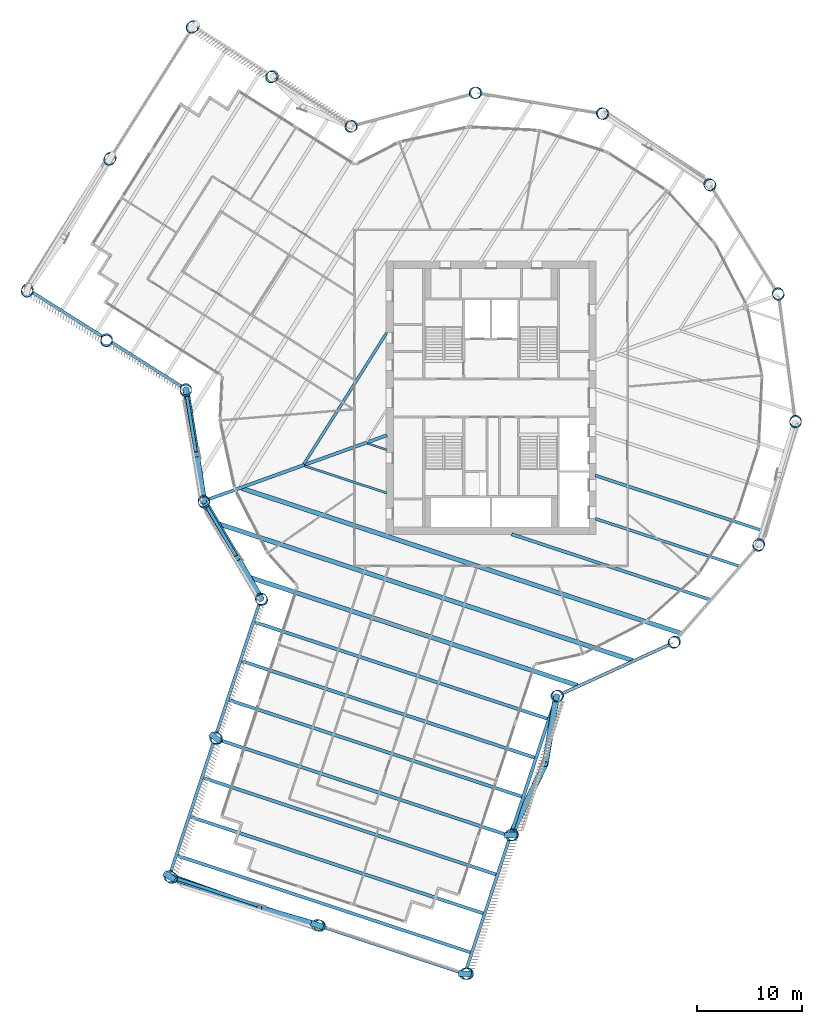
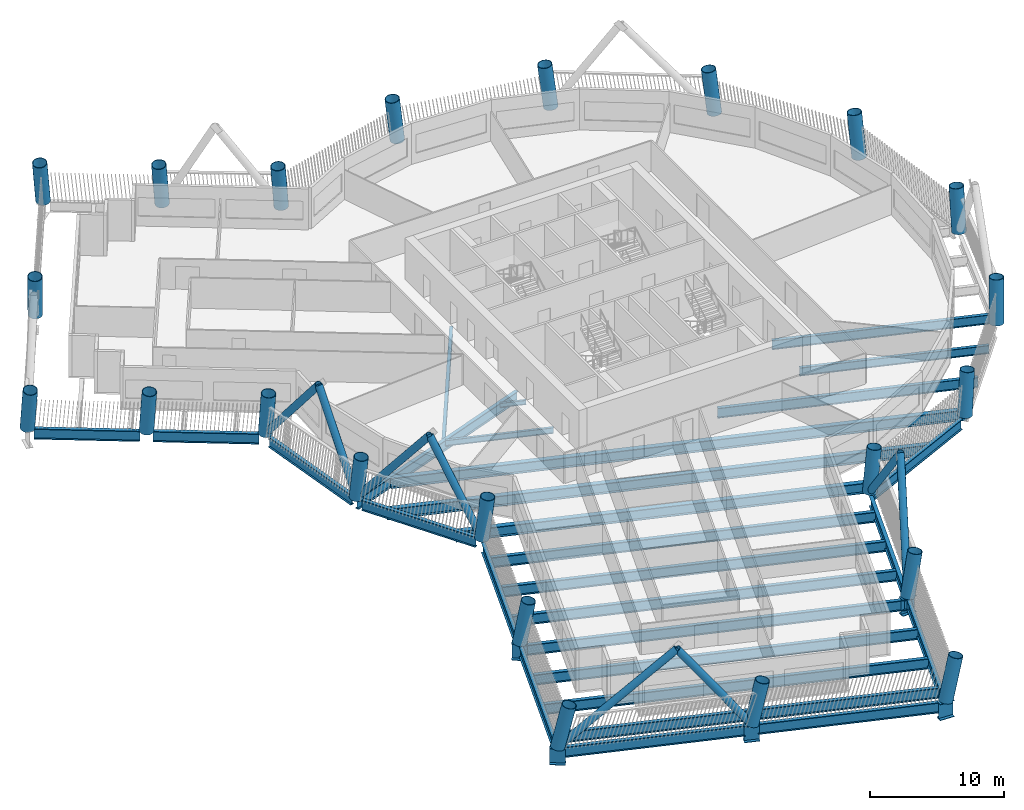
# One storey, part 1 of 22: 33 beams, 22 columns, 8 members.
"""IFC4 building model written with IfcOpenShell, lengths in metres."""

from ifc_helpers import new_model, si_unit, direction, frame, origin, origin_2d, place, context, subcontext, project, spatial, hollow_circle, i_section, extrude, material, material_profile, profile_set, type_object, element, save


model = new_model("IFC4")

# Units and contexts
model_context = context("Model", 3, precision=1e-05, world=origin(), true_north=direction((0.0, 1.0)))
body_context = subcontext(model_context, "Body", "Model", "MODEL_VIEW")
ifc_project = project(units=[si_unit("LENGTHUNIT", "METRE"), si_unit("AREAUNIT", "SQUARE_METRE"), si_unit("VOLUMEUNIT", "CUBIC_METRE"), si_unit("PLANEANGLEUNIT", "RADIAN"), si_unit("MASSUNIT", "GRAM", prefix="KILO")], contexts=[model_context])

# Site, building, storey
site_placement = place(None, origin())
site = spatial("IfcSite", under=ifc_project, at=site_placement, CompositionType="ELEMENT")
building_placement = place(site_placement, origin())
building = spatial("IfcBuilding", under=site, at=building_placement, Name="Tarsis Ring Headquarters", CompositionType="ELEMENT")
storey_placement = place(building_placement, frame((0.0, 0.0, 147.60009765625)))
storey = spatial("IfcBuildingStorey", under=building, at=storey_placement, Name="L33", CompositionType="ELEMENT", Elevation=147.60009765625)

# Columns
ifc_material = material(Name="Structural steel S355", Category="steel")
ifc_material_profile_1 = material_profile(ifc_material, hollow_circle(Radius=0.558837890625, WallThickness=0.044921875, at=origin_2d()), Name="CHS 1118x45")
ifc_profile_set_1 = profile_set([ifc_material_profile_1], Name="Structural steel S355")
column_type = type_object("IfcColumnType", Name="XC Exo column CHS 1118x45", PredefinedType="COLUMN", material=ifc_profile_set_1)
for number, where, z_axis, x_axis, name in (
    (1, (-27.3408203125, -9.813232421875, 0.017822265625), (0.040111543111, -0.109025923254, 0.993229284792), (0.93849912067, 0.345281624911, 0.0), "Exo column XC4 F1"),
    (2, (-21.88525390625, -19.10107421875, 0.017822265625), (0.07709864806, -0.086970273986, 0.993223021234), (0.748298420576, 0.663362249275, 0.0), "Exo column XC4 AK"),
):
    element("IfcColumn", number, at=place(storey_placement, frame(where, z_axis=z_axis, x_axis=x_axis)), inside=storey, type_object=column_type, Name=name, PredefinedType="COLUMN", context=body_context, shape_type="SweptSolid", body=[
        extrude(hollow_circle(Radius=0.558837890625, WallThickness=0.044921875, at=origin_2d()), origin(), (0.0, 0.0, 1.0), 3.907470703125),
    ])
column_1_placement = place(storey_placement, frame((-26.2392578125, -32.304443359375, 0.02490234375), z_axis=(0.129099744386, -0.103242501408, 0.98624248636), x_axis=(0.624557472155, 0.78097884989, 0.0)))
element("IfcColumn", 3, at=column_1_placement, inside=storey, type_object=column_type, Name="Exo column XC4 AI1", PredefinedType="COLUMN", context=body_context, shape_type="SweptSolid", body=[
    extrude(hollow_circle(Radius=0.558837890625, WallThickness=0.044921875, at=origin_2d()), origin(), (0.0, 0.0, 1.0), 3.927734375),
])
column_2_placement = place(storey_placement, frame((-30.592529296875, -45.5078125, 0.031982421875), z_axis=(0.179866907495, -0.118945239821, 0.97647320778), x_axis=(0.551594899908, 0.834112142578, 0.0)))
element("IfcColumn", 4, at=column_2_placement, inside=storey, type_object=column_type, Name="Exo column XC4 AT1", PredefinedType="COLUMN", context=body_context, shape_type="SweptSolid", body=[
    extrude(hollow_circle(Radius=0.558837890625, WallThickness=0.044921875, at=origin_2d()), origin(), (0.0, 0.0, 1.0), 3.95947265625),
])
column_3_placement = place(storey_placement, frame((-16.53759765625, -50.143310546875, 0.031005859375), z_axis=(0.198081516615, -0.063598491931, 0.978120107451), x_axis=(0.305701729978, 0.952127329872, 0.0)))
element("IfcColumn", 5, at=column_3_placement, inside=storey, type_object=column_type, Name="Exo column XC4 AT2", PredefinedType="COLUMN", context=body_context, shape_type="SweptSolid", body=[
    extrude(hollow_circle(Radius=0.558837890625, WallThickness=0.044921875, at=origin_2d()), origin(), (0.0, 0.0, 1.0), 3.953857421875),
])
column_4_placement = place(storey_placement, frame((-2.48193359375, -54.77880859375, 0.031982421875), z_axis=(0.215506392048, -0.008077635868, 0.97646901988), x_axis=(0.037455815537, 0.999298284739, 0.0)))
element("IfcColumn", 6, at=column_4_placement, inside=storey, type_object=column_type, Name="Exo column XC4 AT3", PredefinedType="COLUMN", context=body_context, shape_type="SweptSolid", body=[
    extrude(hollow_circle(Radius=0.558837890625, WallThickness=0.044921875, at=origin_2d()), origin(), (0.0, 0.0, 1.0), 3.95947265625),
])
column_5_placement = place(storey_placement, frame((1.87109375, -41.576171875, 0.02490234375), z_axis=(0.165088204986, 0.008701938516, 0.986240417363), x_axis=(-0.052637768839, 0.998613671693, 0.0)))
element("IfcColumn", 7, at=column_5_placement, inside=storey, type_object=column_type, Name="Exo column XC4 AO1", PredefinedType="COLUMN", context=body_context, shape_type="SweptSolid", body=[
    extrude(hollow_circle(Radius=0.558837890625, WallThickness=0.044921875, at=origin_2d()), origin(), (0.0, 0.0, 1.0), 3.927734375),
])
for number, where, z_axis, x_axis, name in (
    (8, (6.224853515625, -28.373779296875, 0.017822265625), (0.11333609742, 0.025803642908, 0.993221577008), (-0.221992805605, 0.975048303552, 0.0), "Exo column XC4 AJ"),
    (9, (17.366943359375, -23.285400390625, 0.017822265625), (0.092593482166, 0.070226095786, 0.993224417003), (-0.604292341774, 0.796762678389, 0.0), "Exo column XC4 R1"),
    (10, (25.4208984375, -14.056640625, 0.017822265625), (0.055418957884, 0.10209084237, 0.993230184303), (-0.878859875029, 0.47707999336, 0.0), "Exo column XC4 R2"),
    (11, (28.955078125, -2.328857421875, 0.017822265625), (0.008372161958, 0.115898212185, 0.993225810839), (-0.997401060654, 0.072049456673, 0.0), "Exo column XC4 R3"),
    (12, (27.3408203125, 9.813232421875, 0.017822265625), (-0.040111543111, 0.109025923254, 0.993229284792), (-0.93849912067, -0.345281624911, 0.0), "Exo column XC4 R4"),
    (13, (20.865234375, 20.21044921875, 0.017822265625), (-0.081472849559, 0.082784912321, 0.993231510312), (-0.712732290862, -0.701436156441, 0.0), "Exo column XC4 R5"),
    (14, (10.6796875, 27.01416015625, 0.017822265625), (-0.108400723248, 0.041860798027, 0.993225531683), (-0.360239784913, -0.932859741529, 0.0), "Exo column XC4 R6"),
    (15, (-1.404541015625, 29.014404296875, 0.017822265625), (-0.116023105513, -0.006497793739, 0.993225260283), (0.055916685823, -0.998435438196, 0.0), "Exo column XC4 R7"),
    (16, (-13.2392578125, 25.856201171875, 0.017822265625), (-0.103027265267, -0.053794102726, 0.993222823501), (0.462841555167, -0.88644102726, 0.0), "Exo column XC4 BJ"),
):
    element("IfcColumn", number, at=place(storey_placement, frame(where, z_axis=z_axis, x_axis=x_axis)), inside=storey, type_object=column_type, Name=name, PredefinedType="COLUMN", context=body_context, shape_type="SweptSolid", body=[
        extrude(hollow_circle(Radius=0.558837890625, WallThickness=0.044921875, at=origin_2d()), origin(), (0.0, 0.0, 1.0), 3.907470703125),
    ])
column_6_placement = place(storey_placement, frame((-20.768310546875, 30.60693359375, 0.022216796875), z_axis=(-0.12122219442, -0.08372180334, 0.989088387974), x_axis=(0.568286154794, -0.822830994962, 0.0)))
element("IfcColumn", 17, at=column_6_placement, inside=storey, type_object=column_type, Name="Exo column XC4 BO1", PredefinedType="COLUMN", context=body_context, shape_type="SweptSolid", body=[
    extrude(hollow_circle(Radius=0.558837890625, WallThickness=0.044921875, at=origin_2d()), origin(), (0.0, 0.0, 1.0), 3.919189453125),
])
column_7_placement = place(storey_placement, frame((-28.29736328125, 35.357421875, 0.02685546875), z_axis=(-0.139209189782, -0.113216030014, 0.983769755597), x_axis=(0.63095699552, -0.775817807094, 0.0)))
element("IfcColumn", 18, at=column_7_placement, inside=storey, type_object=column_type, Name="Exo column XC4 BT3", PredefinedType="COLUMN", context=body_context, shape_type="SweptSolid", body=[
    extrude(hollow_circle(Radius=0.558837890625, WallThickness=0.044921875, at=origin_2d()), origin(), (0.0, 0.0, 1.0), 3.935546875),
])
column_8_placement = place(storey_placement, frame((-36.195556640625, 22.84130859375, 0.025634765625), z_axis=(-0.089514510516, -0.144366219596, 0.985467171978), x_axis=(0.849883037871, -0.526971367286, 0.0)))
element("IfcColumn", 19, at=column_8_placement, inside=storey, type_object=column_type, Name="Exo column XC4 BT2", PredefinedType="COLUMN", context=body_context, shape_type="SweptSolid", body=[
    extrude(hollow_circle(Radius=0.558837890625, WallThickness=0.044921875, at=origin_2d()), origin(), (0.0, 0.0, 1.0), 3.93017578125),
])
column_9_placement = place(storey_placement, frame((-44.093994140625, 10.32470703125, 0.02685546875), z_axis=(-0.039517225961, -0.175004857826, 0.983774206101), x_axis=(0.975441002068, -0.220260871435, 0.0)))
element("IfcColumn", 20, at=column_9_placement, inside=storey, type_object=column_type, Name="Exo column XC4 BT1", PredefinedType="COLUMN", context=body_context, shape_type="SweptSolid", body=[
    extrude(hollow_circle(Radius=0.558837890625, WallThickness=0.044921875, at=origin_2d()), origin(), (0.0, 0.0, 1.0), 3.935546875),
])
column_10_placement = place(storey_placement, frame((-36.565185546875, 5.57470703125, 0.022216796875), z_axis=(-0.021117249965, -0.145827381029, 0.98908464587), x_axis=(0.989677116619, -0.143315054478, 0.0)))
element("IfcColumn", 21, at=column_10_placement, inside=storey, type_object=column_type, Name="Exo column XC4 BI1", PredefinedType="COLUMN", context=body_context, shape_type="SweptSolid", body=[
    extrude(hollow_circle(Radius=0.558837890625, WallThickness=0.044921875, at=origin_2d()), origin(), (0.0, 0.0, 1.0), 3.919189453125),
])
column_11_placement = place(storey_placement, frame((-29.036865234375, 0.82421875, 0.017822265625), z_axis=(-0.002374185622, -0.116210138361, 0.993221811573), x_axis=(0.999791370661, -0.020425845207, 0.0)))
element("IfcColumn", 22, at=column_11_placement, inside=storey, type_object=column_type, Name="Exo column XC4 BK", PredefinedType="COLUMN", context=body_context, shape_type="SweptSolid", body=[
    extrude(hollow_circle(Radius=0.558837890625, WallThickness=0.044921875, at=origin_2d()), origin(), (0.0, 0.0, 1.0), 3.907470703125),
])

# Beams
ifc_material_profile_2 = material_profile(ifc_material, i_section(OverallWidth=0.177734375, OverallDepth=0.406494140625, WebThickness=0.0078125, FlangeThickness=0.0126953125, at=origin_2d()), Name="W16x40")
ifc_profile_set_2 = profile_set([ifc_material_profile_2], Name="Structural steel S355")
beam_type_1 = type_object("IfcBeamType", Name="FB Floor beam W16x40", PredefinedType="JOIST", material=ifc_profile_set_2)
beam_1_placement = place(storey_placement, frame((-11.78076171875, -4.32666015625, -0.36328125), z_axis=(0.949642993608, -0.313333982663, 0.0), x_axis=(0.313333982663, 0.949642993608, 0.0)))
element("IfcBeam", 23, at=beam_1_placement, inside=storey, type_object=beam_type_1, Name="Floor beam FB1", PredefinedType="JOIST", context=body_context, shape_type="SweptSolid", body=[
    extrude(i_section(OverallWidth=0.177734375, OverallDepth=0.406494140625, WebThickness=0.0078125, FlangeThickness=0.0126953125, at=origin_2d()), origin(), (0.0, 0.0, 1.0), 1.97509765625),
])
ifc_material_profile_3 = material_profile(ifc_material, i_section(OverallWidth=0.209228515625, OverallDepth=0.533447265625, WebThickness=0.01025390625, FlangeThickness=0.015625, at=origin_2d()), Name="W21x62")
ifc_profile_set_3 = profile_set([ifc_material_profile_3], Name="Structural steel S355")
beam_type_2 = type_object("IfcBeamType", Name="FB Floor beam W21x62", PredefinedType="JOIST", material=ifc_profile_set_3)
beam_2_placement = place(storey_placement, frame((-17.7431640625, -6.466064453125, -0.4267578125), z_axis=(0.949643172318, -0.313333441033, 0.0), x_axis=(0.313333441033, 0.949643172318, 0.0)))
element("IfcBeam", 24, at=beam_2_placement, inside=storey, type_object=beam_type_2, Name="Floor beam FB3", PredefinedType="JOIST", context=body_context, shape_type="SweptSolid", body=[
    extrude(i_section(OverallWidth=0.209228515625, OverallDepth=0.533447265625, WebThickness=0.01025390625, FlangeThickness=0.015625, at=origin_2d()), origin(), (0.0, 0.0, 1.0), 8.253662109375),
])
ifc_material_profile_4 = material_profile(ifc_material, i_section(OverallWidth=0.2666015625, OverallDepth=0.7568359375, WebThickness=0.013916015625, FlangeThickness=0.019287109375, at=origin_2d()), Name="W30x108")
ifc_profile_set_4 = profile_set([ifc_material_profile_4], Name="Structural steel S355")
beam_type_3 = type_object("IfcBeamType", Name="FB Floor beam W30x108", PredefinedType="JOIST", material=ifc_profile_set_4)
beam_3_placement = place(storey_placement, frame((9.905029296875, -11.481689453125, -0.53857421875), z_axis=(0.949643274222, -0.313333132185, 0.0), x_axis=(0.313333132185, 0.949643274222, 0.0)))
element("IfcBeam", 25, at=beam_3_placement, inside=storey, type_object=beam_type_3, Name="Floor beam FB6", PredefinedType="JOIST", context=body_context, shape_type="SweptSolid", body=[
    extrude(i_section(OverallWidth=0.2666015625, OverallDepth=0.7568359375, WebThickness=0.013916015625, FlangeThickness=0.019287109375, at=origin_2d()), origin(), (0.0, 0.0, 1.0), 14.455322265625),
])
beam_4_placement = place(storey_placement, frame((-9.946533203125, 6.16162109375, -0.53857421875), z_axis=(-0.53376278744, -0.845634251166, 0.0), x_axis=(0.845634251166, -0.53376278744, 0.0)))
element("IfcBeam", 26, at=beam_4_placement, inside=storey, type_object=beam_type_3, Name="Floor beam FB6", PredefinedType="JOIST", context=body_context, shape_type="SweptSolid", body=[
    extrude(i_section(OverallWidth=0.2666015625, OverallDepth=0.7568359375, WebThickness=0.013916015625, FlangeThickness=0.019287109375, at=origin_2d()), origin(), (0.0, 0.0, 1.0), 14.724853515625),
])
ifc_material_profile_5 = material_profile(ifc_material, i_section(OverallWidth=0.2919921875, OverallDepth=0.835693359375, WebThickness=0.013916015625, FlangeThickness=0.018798828125, at=origin_2d()), Name="W33x118")
ifc_profile_set_5 = profile_set([ifc_material_profile_5], Name="Structural steel S355")
beam_type_4 = type_object("IfcBeamType", Name="FB Floor beam W33x118", PredefinedType="JOIST", material=ifc_profile_set_5)
beam_5_placement = place(storey_placement, frame((9.905029296875, -7.375, -0.577880859375), z_axis=(0.949647577034, -0.313320091015, 0.0), x_axis=(0.313320091015, 0.949647577034, 0.0)))
element("IfcBeam", 27, at=beam_5_placement, inside=storey, type_object=beam_type_4, Name="Floor beam FB7", PredefinedType="JOIST", context=body_context, shape_type="SweptSolid", body=[
    extrude(i_section(OverallWidth=0.2919921875, OverallDepth=0.835693359375, WebThickness=0.013916015625, FlangeThickness=0.018798828125, at=origin_2d()), origin(), (0.0, 0.0, 1.0), 16.734130859375),
])
ifc_material_profile_6 = material_profile(ifc_material, i_section(OverallWidth=0.3046875, OverallDepth=0.904296875, WebThickness=0.01513671875, FlangeThickness=0.02001953125, at=origin_2d()), Name="W36x135")
ifc_profile_set_6 = profile_set([ifc_material_profile_6], Name="Structural steel S355")
beam_type_5 = type_object("IfcBeamType", Name="FB Floor beam W36x135", PredefinedType="JOIST", material=ifc_profile_set_6)
beam_6_placement = place(storey_placement, frame((1.96484375, -12.96875, -0.6123046875), z_axis=(0.949646294343, -0.313323978719, 0.0), x_axis=(0.313323978719, 0.949646294343, 0.0)))
element("IfcBeam", 28, at=beam_6_placement, inside=storey, type_object=beam_type_5, Name="Floor beam FB8", PredefinedType="JOIST", context=body_context, shape_type="SweptSolid", body=[
    extrude(i_section(OverallWidth=0.3046875, OverallDepth=0.904296875, WebThickness=0.01513671875, FlangeThickness=0.02001953125, at=origin_2d()), origin(), (0.0, 0.0, 1.0), 19.8857421875),
])
ifc_material_profile_7 = material_profile(ifc_material, i_section(OverallWidth=0.309814453125, OverallDepth=0.949951171875, WebThickness=0.0244140625, FlangeThickness=0.0439453125, at=origin_2d()), Name="W36x256")
ifc_profile_set_7 = profile_set([ifc_material_profile_7], Name="Structural steel S355")
beam_type_6 = type_object("IfcBeamType", Name="FB Floor beam W36x256", PredefinedType="JOIST", material=ifc_profile_set_7)
beam_7_placement = place(storey_placement, frame((-22.556396484375, -21.30517578125, -0.635009765625), z_axis=(0.949643356237, -0.313332883617, 0.0), x_axis=(0.313332883617, 0.949643356237, 0.0)))
element("IfcBeam", 29, at=beam_7_placement, inside=storey, type_object=beam_type_6, Name="Floor beam FB11", PredefinedType="JOIST", context=body_context, shape_type="SweptSolid", body=[
    extrude(i_section(OverallWidth=0.309814453125, OverallDepth=0.949951171875, WebThickness=0.0244140625, FlangeThickness=0.0439453125, at=origin_2d()), origin(), (0.0, 0.0, 1.0), 29.490234375),
])
beam_8_placement = place(storey_placement, frame((-23.7783203125, -25.0087890625, -0.635009765625), z_axis=(0.949642543443, -0.313335347005, 0.0), x_axis=(0.313335347005, 0.949642543443, 0.0)))
element("IfcBeam", 30, at=beam_8_placement, inside=storey, type_object=beam_type_6, Name="Floor beam FB11", PredefinedType="JOIST", context=body_context, shape_type="SweptSolid", body=[
    extrude(i_section(OverallWidth=0.309814453125, OverallDepth=0.949951171875, WebThickness=0.0244140625, FlangeThickness=0.0439453125, at=origin_2d()), origin(), (0.0, 0.0, 1.0), 29.489990234375),
])
for number, where, z_axis, x_axis, name in (
    (31, (-25.00048828125, -28.71240234375, -0.635009765625), (0.949643356237, -0.313332883617, 0.0), (0.313332883617, 0.949643356237, 0.0), "Floor beam FB11"),
    (32, (-26.222412109375, -32.416015625, -0.635009765625), (0.949643356237, -0.313332883617, 0.0), (0.313332883617, 0.949643356237, 0.0), "Floor beam FB11"),
    (33, (-27.4443359375, -36.11962890625, -0.635009765625), (0.949643356237, -0.313332883617, 0.0), (0.313332883617, 0.949643356237, 0.0), "Floor beam FB11"),
):
    element("IfcBeam", number, at=place(storey_placement, frame(where, z_axis=z_axis, x_axis=x_axis)), inside=storey, type_object=beam_type_6, Name=name, PredefinedType="JOIST", context=body_context, shape_type="SweptSolid", body=[
        extrude(i_section(OverallWidth=0.309814453125, OverallDepth=0.949951171875, WebThickness=0.0244140625, FlangeThickness=0.0439453125, at=origin_2d()), origin(), (0.0, 0.0, 1.0), 29.490234375),
    ])
beam_9_placement = place(storey_placement, frame((-28.666259765625, -39.8232421875, -0.635009765625), z_axis=(0.949642543443, -0.313335347005, 0.0), x_axis=(0.313335347005, 0.949642543443, 0.0)))
element("IfcBeam", 34, at=beam_9_placement, inside=storey, type_object=beam_type_6, Name="Floor beam FB11", PredefinedType="JOIST", context=body_context, shape_type="SweptSolid", body=[
    extrude(i_section(OverallWidth=0.309814453125, OverallDepth=0.949951171875, WebThickness=0.0244140625, FlangeThickness=0.0439453125, at=origin_2d()), origin(), (0.0, 0.0, 1.0), 29.489990234375),
])
beam_10_placement = place(storey_placement, frame((-29.888427734375, -43.52685546875, -0.635009765625), z_axis=(0.949643356237, -0.313332883617, 0.0), x_axis=(0.313332883617, 0.949643356237, 0.0)))
element("IfcBeam", 35, at=beam_10_placement, inside=storey, type_object=beam_type_6, Name="Floor beam FB11", PredefinedType="JOIST", context=body_context, shape_type="SweptSolid", body=[
    extrude(i_section(OverallWidth=0.309814453125, OverallDepth=0.949951171875, WebThickness=0.0244140625, FlangeThickness=0.0439453125, at=origin_2d()), origin(), (0.0, 0.0, 1.0), 29.490234375),
])
beam_type_7 = type_object("IfcBeamType", Name="FB Floor beam W36x256 spine", PredefinedType="BEAM", material=ifc_profile_set_7)
beam_11_placement = place(storey_placement, frame((-9.90576171875, -3.5546875, -0.635009765625), z_axis=(-0.941235950573, -0.337749737749, 0.0), x_axis=(0.337749737749, -0.941235950573, 0.0)))
element("IfcBeam", 36, at=beam_11_placement, inside=storey, type_object=beam_type_7, Name="Floor beam SB11", PredefinedType="BEAM", context=body_context, shape_type="SweptSolid", body=[
    extrude(i_section(OverallWidth=0.309814453125, OverallDepth=0.949951171875, WebThickness=0.0244140625, FlangeThickness=0.0439453125, at=origin_2d()), origin(), (0.0, 0.0, 1.0), 18.466552734375),
])
ifc_material_profile_8 = material_profile(ifc_material, i_section(OverallWidth=0.42431640625, OverallDepth=0.947509765625, WebThickness=0.02392578125, FlangeThickness=0.042724609375, at=origin_2d()), Name="W36x302")
ifc_profile_set_8 = profile_set([ifc_material_profile_8], Name="Structural steel S355")
beam_type_8 = type_object("IfcBeamType", Name="FB Floor beam W36x302", PredefinedType="JOIST", material=ifc_profile_set_8)
beam_12_placement = place(storey_placement, frame((-23.70556640625, -8.605712890625, -0.6337890625), z_axis=(0.949645181654, -0.313327351121, 0.0), x_axis=(0.313327351121, 0.949645181654, 0.0)))
element("IfcBeam", 37, at=beam_12_placement, inside=storey, type_object=beam_type_8, Name="Floor beam FB12", PredefinedType="JOIST", context=body_context, shape_type="SweptSolid", body=[
    extrude(i_section(OverallWidth=0.42431640625, OverallDepth=0.947509765625, WebThickness=0.02392578125, FlangeThickness=0.042724609375, at=origin_2d()), origin(), (0.0, 0.0, 1.0), 43.986572265625),
])
beam_13_placement = place(storey_placement, frame((-25.97412109375, -11.964111328125, -0.6337890625), z_axis=(0.9496454624, -0.313326500225, 0.0), x_axis=(0.313326500225, 0.9496454624, 0.0)))
element("IfcBeam", 38, at=beam_13_placement, inside=storey, type_object=beam_type_8, Name="Floor beam FB12", PredefinedType="JOIST", context=body_context, shape_type="SweptSolid", body=[
    extrude(i_section(OverallWidth=0.42431640625, OverallDepth=0.947509765625, WebThickness=0.02392578125, FlangeThickness=0.042724609375, at=origin_2d()), origin(), (0.0, 0.0, 1.0), 41.523681640625),
])
beam_14_placement = place(storey_placement, frame((-22.982421875, -17.057861328125, -0.6337890625), z_axis=(0.949644294762, -0.313330039136, 0.0), x_axis=(0.313330039136, 0.949644294762, 0.0)))
element("IfcBeam", 39, at=beam_14_placement, inside=storey, type_object=beam_type_8, Name="Floor beam FB12", PredefinedType="JOIST", context=body_context, shape_type="SweptSolid", body=[
    extrude(i_section(OverallWidth=0.42431640625, OverallDepth=0.947509765625, WebThickness=0.02392578125, FlangeThickness=0.042724609375, at=origin_2d()), origin(), (0.0, 0.0, 1.0), 32.875244140625),
])

# Members
ifc_material_profile_9 = material_profile(ifc_material, hollow_circle(Radius=0.3046875, WallThickness=0.02490234375, at=origin_2d()), Name="CHS 610x25")
ifc_profile_set_9 = profile_set([ifc_material_profile_9], Name="Structural steel S355")
member_type = type_object("IfcMemberType", Name="XD X brace CHS 610x25", PredefinedType="BRACE", material=ifc_profile_set_9)
member_1_placement = place(storey_placement, frame((-27.341552734375, -9.811279296875, 0.0), z_axis=(0.318894989513, -0.540185978261, 0.778784369742), x_axis=(0.861139974687, 0.50836792188, 0.0)))
element("IfcMember", 40, at=member_1_placement, inside=storey, type_object=member_type, Name="X brace XD1", PredefinedType="BRACE", context=body_context, shape_type="SweptSolid", body=[
    extrude(hollow_circle(Radius=0.3046875, WallThickness=0.02490234375, at=origin_2d()), origin(), (0.0, 0.0, 1.0), 10.015380859375),
])
member_2_placement = place(storey_placement, frame((-21.886474609375, -19.099609375, 0.0), z_axis=(-0.251262799619, 0.430933877342, 0.866696601405), x_axis=(-0.863879478789, -0.503698566732, 0.0)))
element("IfcMember", 41, at=member_2_placement, inside=storey, type_object=member_type, Name="X brace XD1", PredefinedType="BRACE", context=body_context, shape_type="SweptSolid", body=[
    extrude(hollow_circle(Radius=0.3046875, WallThickness=0.02490234375, at=origin_2d()), origin(), (0.0, 0.0, 1.0), 8.99951171875),
])
member_3_placement = place(storey_placement, frame((-30.5986328125, -45.50390625, 0.0), z_axis=(0.714246715621, -0.253829624562, 0.652243935134), x_axis=(0.334863542888, 0.942266632989, 0.0)))
element("IfcMember", 42, at=member_3_placement, inside=storey, type_object=member_type, Name="X brace XD1", PredefinedType="BRACE", context=body_context, shape_type="SweptSolid", body=[
    extrude(hollow_circle(Radius=0.3046875, WallThickness=0.02490234375, at=origin_2d()), origin(), (0.0, 0.0, 1.0), 11.95849609375),
])
member_4_placement = place(storey_placement, frame((-16.543701171875, -50.14111328125, 0.0), z_axis=(-0.569287729887, 0.165386857766, 0.805331402516), x_axis=(-0.278980968597, -0.960296630818, 0.0)))
element("IfcMember", 43, at=member_4_placement, inside=storey, type_object=member_type, Name="X brace XD1", PredefinedType="BRACE", context=body_context, shape_type="SweptSolid", body=[
    extrude(hollow_circle(Radius=0.3046875, WallThickness=0.02490234375, at=origin_2d()), origin(), (0.0, 0.0, 1.0), 9.685302734375),
])
member_5_placement = place(storey_placement, frame((1.866943359375, -41.576416015625, 0.0), z_axis=(0.302660094776, 0.623462194786, 0.720896496526), x_axis=(-0.899601363111, 0.436712018943, 0.0)))
element("IfcMember", 44, at=member_5_placement, inside=storey, type_object=member_type, Name="X brace XD1", PredefinedType="BRACE", context=body_context, shape_type="SweptSolid", body=[
    extrude(hollow_circle(Radius=0.3046875, WallThickness=0.02490234375, at=origin_2d()), origin(), (0.0, 0.0, 1.0), 10.819580078125),
])
member_6_placement = place(storey_placement, frame((6.222900390625, -28.3740234375, 0.0), z_axis=(-0.106185247977, -0.634066663639, 0.765953105075), x_axis=(0.986265622037, -0.165166954286, 0.0)))
element("IfcMember", 45, at=member_6_placement, inside=storey, type_object=member_type, Name="X brace XD1", PredefinedType="BRACE", context=body_context, shape_type="SweptSolid", body=[
    extrude(hollow_circle(Radius=0.3046875, WallThickness=0.02490234375, at=origin_2d()), origin(), (0.0, 0.0, 1.0), 10.18310546875),
])
member_7_placement = place(storey_placement, frame((-29.036865234375, 0.826171875, 0.0), z_axis=(0.100115520744, -0.619243869847, 0.778790030857), x_axis=(0.987181538731, 0.159601408478, 0.0)))
element("IfcMember", 46, at=member_7_placement, inside=storey, type_object=member_type, Name="X brace XD1", PredefinedType="BRACE", context=body_context, shape_type="SweptSolid", body=[
    extrude(hollow_circle(Radius=0.3046875, WallThickness=0.02490234375, at=origin_2d()), origin(), (0.0, 0.0, 1.0), 10.015380859375),
])
member_8_placement = place(storey_placement, frame((-27.341552734375, -9.811279296875, 0.0), z_axis=(-0.076962939574, 0.492866650046, 0.8666943932), x_axis=(-0.988026545286, -0.154283977817, 0.0)))
element("IfcMember", 47, at=member_8_placement, inside=storey, type_object=member_type, Name="X brace XD1", PredefinedType="BRACE", context=body_context, shape_type="SweptSolid", body=[
    extrude(hollow_circle(Radius=0.3046875, WallThickness=0.02490234375, at=origin_2d()), origin(), (0.0, 0.0, 1.0), 8.99951171875),
])

# Beams
ifc_material_profile_10 = material_profile(ifc_material, i_section(OverallWidth=0.550048828125, OverallDepth=1.5, WebThickness=0.030029296875, FlangeThickness=0.050048828125, at=origin_2d()), Name="PG 1500x550x30x50")
ifc_profile_set_10 = profile_set([ifc_material_profile_10], Name="Structural steel S355")
beam_type_9 = type_object("IfcBeamType", Name="XG Ring girder PG 1500x550x30x50", PredefinedType="BEAM", material=ifc_profile_set_10)
beam_15_placement = place(storey_placement, frame((-26.705078125, -31.926025390625, -0.735107421875), z_axis=(0.776263314987, -0.630408808476, 0.0), x_axis=(0.630408808476, 0.776263314987, 0.0)))
element("IfcBeam", 48, at=beam_15_placement, inside=storey, type_object=beam_type_9, Name="Ring girder XG6", PredefinedType="BEAM", context=body_context, shape_type="SweptSolid", body=[
    extrude(i_section(OverallWidth=0.550048828125, OverallDepth=1.5, WebThickness=0.030029296875, FlangeThickness=0.050048828125, at=origin_2d()), origin(), (0.0, 0.0, 1.0), 1.2001953125),
])
for number, where, z_axis, x_axis, name in (
    (49, (-31.090576171875, -45.173095703125, -0.72802734375), (0.829915658071, -0.557888878262, 0.0), (0.557888878262, 0.829915658071, 0.0), "Ring girder XG6"),
    (50, (-17.107421875, -49.955322265625, -0.72900390625), (0.949715798373, -0.313113242009, 0.0), (0.313113242009, 0.949715798373, 0.0), "Ring girder XG6"),
    (51, (-3.081298828125, -54.751708984375, -0.72802734375), (0.998979418425, -0.045167704866, 0.0), (0.045167704866, 0.998979418425, 0.0), "Ring girder XG6"),
    (52, (1.271728515625, -41.60302734375, -0.735107421875), (0.998988578233, 0.04496465902, 0.0), (-0.04496465902, 0.998988578233, 0.0), "Ring girder XG6"),
):
    element("IfcBeam", number, at=place(storey_placement, frame(where, z_axis=z_axis, x_axis=x_axis)), inside=storey, type_object=beam_type_9, Name=name, PredefinedType="BEAM", context=body_context, shape_type="SweptSolid", body=[
        extrude(i_section(OverallWidth=0.550048828125, OverallDepth=1.5, WebThickness=0.030029296875, FlangeThickness=0.050048828125, at=origin_2d()), origin(), (0.0, 0.0, 1.0), 1.199951171875),
    ])
beam_type_10 = type_object("IfcBeamType", Name="XG Ring girder W36x256", PredefinedType="BEAM", material=ifc_profile_set_7)
beam_16_placement = place(storey_placement, frame((-27.0869140625, -10.244873046875, -0.47509765625), z_axis=(0.506407102307, -0.862294524355, 0.0), x_axis=(0.862294524355, 0.506407102307, 0.0)))
element("IfcBeam", 53, at=beam_16_placement, inside=storey, type_object=beam_type_10, Name="Ring girder XG2", PredefinedType="BEAM", context=body_context, shape_type="SweptSolid", body=[
    extrude(i_section(OverallWidth=0.309814453125, OverallDepth=0.949951171875, WebThickness=0.0244140625, FlangeThickness=0.0439453125, at=origin_2d()), origin(), (0.0, 0.0, 1.0), 9.765869140625),
])
for number, where, z_axis, x_axis, name in (
    (54, (-22.044189453125, -19.5771484375, -0.47509765625), (-0.313324189942, -0.949646224653, 0.0), (0.949646224653, -0.313324189942, 0.0), "Ring girder XG2"),
    (55, (-26.400146484375, -32.779296875, -0.47509765625), (-0.313324189942, -0.949646224653, 0.0), (0.949646224653, -0.313324189942, 0.0), "Ring girder XG2"),
):
    element("IfcBeam", number, at=place(storey_placement, frame(where, z_axis=z_axis, x_axis=x_axis)), inside=storey, type_object=beam_type_10, Name=name, PredefinedType="BEAM", context=body_context, shape_type="SweptSolid", body=[
        extrude(i_section(OverallWidth=0.309814453125, OverallDepth=0.949951171875, WebThickness=0.0244140625, FlangeThickness=0.0439453125, at=origin_2d()), origin(), (0.0, 0.0, 1.0), 12.896484375),
    ])
beam_17_placement = place(storey_placement, frame((-30.120849609375, -45.66162109375, -0.47509765625), z_axis=(0.949645239182, -0.313327176763, 0.0), x_axis=(0.313327176763, 0.949645239182, 0.0)))
element("IfcBeam", 56, at=beam_17_placement, inside=storey, type_object=beam_type_10, Name="Ring girder XG2", PredefinedType="BEAM", context=body_context, shape_type="SweptSolid", body=[
    extrude(i_section(OverallWidth=0.309814453125, OverallDepth=0.949951171875, WebThickness=0.0244140625, FlangeThickness=0.0439453125, at=origin_2d()), origin(), (0.0, 0.0, 1.0), 13.7939453125),
])
beam_18_placement = place(storey_placement, frame((-16.066162109375, -50.298828125, -0.47509765625), z_axis=(0.949646976728, -0.313321910486, 0.0), x_axis=(0.313321910486, 0.949646976728, 0.0)))
element("IfcBeam", 57, at=beam_18_placement, inside=storey, type_object=beam_type_10, Name="Ring girder XG2", PredefinedType="BEAM", context=body_context, shape_type="SweptSolid", body=[
    extrude(i_section(OverallWidth=0.309814453125, OverallDepth=0.949951171875, WebThickness=0.0244140625, FlangeThickness=0.0439453125, at=origin_2d()), origin(), (0.0, 0.0, 1.0), 13.794189453125),
])
beam_19_placement = place(storey_placement, frame((-2.33154296875, -54.301025390625, -0.47509765625), z_axis=(0.313324189942, 0.949646224653, 0.0), x_axis=(-0.949646224653, 0.313324189942, 0.0)))
element("IfcBeam", 58, at=beam_19_placement, inside=storey, type_object=beam_type_10, Name="Ring girder XG2", PredefinedType="BEAM", context=body_context, shape_type="SweptSolid", body=[
    extrude(i_section(OverallWidth=0.309814453125, OverallDepth=0.949951171875, WebThickness=0.0244140625, FlangeThickness=0.0439453125, at=origin_2d()), origin(), (0.0, 0.0, 1.0), 12.896484375),
])
beam_20_placement = place(storey_placement, frame((2.0244140625, -41.0986328125, -0.47509765625), z_axis=(0.313346895293, 0.949638732998, 0.0), x_axis=(-0.949638732998, 0.313346895293, 0.0)))
element("IfcBeam", 59, at=beam_20_placement, inside=storey, type_object=beam_type_10, Name="Ring girder XG2", PredefinedType="BEAM", context=body_context, shape_type="SweptSolid", body=[
    extrude(i_section(OverallWidth=0.309814453125, OverallDepth=0.949951171875, WebThickness=0.0244140625, FlangeThickness=0.0439453125, at=origin_2d()), origin(), (0.0, 0.0, 1.0), 12.896240234375),
])
beam_21_placement = place(storey_placement, frame((6.680419921875, -28.165283203125, -0.47509765625), z_axis=(0.909656435312, 0.415361492794, 0.0), x_axis=(-0.415361492794, 0.909656435312, 0.0)))
element("IfcBeam", 60, at=beam_21_placement, inside=storey, type_object=beam_type_10, Name="Ring girder XG2", PredefinedType="BEAM", context=body_context, shape_type="SweptSolid", body=[
    extrude(i_section(OverallWidth=0.309814453125, OverallDepth=0.949951171875, WebThickness=0.0244140625, FlangeThickness=0.0439453125, at=origin_2d()), origin(), (0.0, 0.0, 1.0), 11.242919921875),
])
beam_22_placement = place(storey_placement, frame((-43.66748046875, 10.061279296875, -0.47509765625), z_axis=(0.845632869668, -0.533764976124, 0.0), x_axis=(0.533764976124, 0.845632869668, 0.0)))
element("IfcBeam", 61, at=beam_22_placement, inside=storey, type_object=beam_type_10, Name="Ring girder XG2", PredefinedType="BEAM", context=body_context, shape_type="SweptSolid", body=[
    extrude(i_section(OverallWidth=0.309814453125, OverallDepth=0.949951171875, WebThickness=0.0244140625, FlangeThickness=0.0439453125, at=origin_2d()), origin(), (0.0, 0.0, 1.0), 7.896484375),
])
beam_23_placement = place(storey_placement, frame((-36.139404296875, 5.3095703125, -0.47509765625), z_axis=(0.845624060684, -0.533778931761, 0.0), x_axis=(0.533778931761, 0.845624060684, 0.0)))
element("IfcBeam", 62, at=beam_23_placement, inside=storey, type_object=beam_type_10, Name="Ring girder XG2", PredefinedType="BEAM", context=body_context, shape_type="SweptSolid", body=[
    extrude(i_section(OverallWidth=0.309814453125, OverallDepth=0.949951171875, WebThickness=0.0244140625, FlangeThickness=0.0439453125, at=origin_2d()), origin(), (0.0, 0.0, 1.0), 7.896240234375),
])
beam_24_placement = place(storey_placement, frame((-28.95751953125, 0.32958984375, -0.47509765625), z_axis=(0.157373277313, -0.9875391899, 0.0), x_axis=(0.9875391899, 0.157373277313, 0.0)))
element("IfcBeam", 63, at=beam_24_placement, inside=storey, type_object=beam_type_10, Name="Ring girder XG2", PredefinedType="BEAM", context=body_context, shape_type="SweptSolid", body=[
    extrude(i_section(OverallWidth=0.309814453125, OverallDepth=0.949951171875, WebThickness=0.0244140625, FlangeThickness=0.0439453125, at=origin_2d()), origin(), (0.0, 0.0, 1.0), 9.765625),
])

save(model, "model.ifc")
